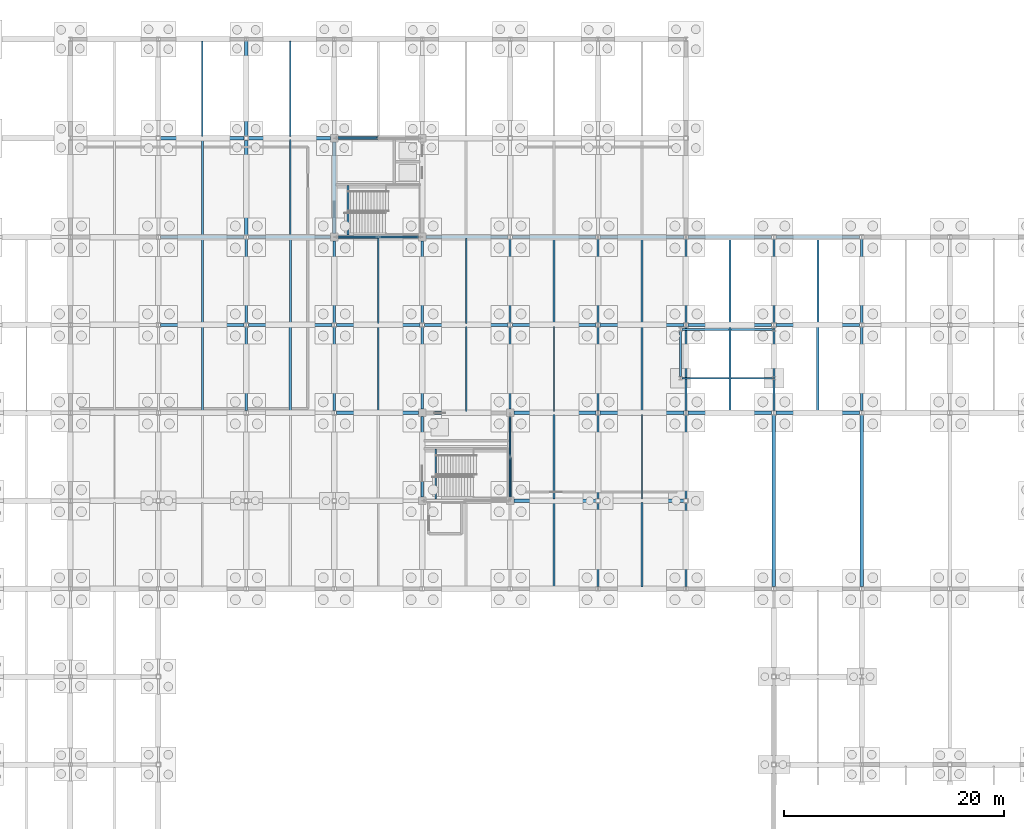
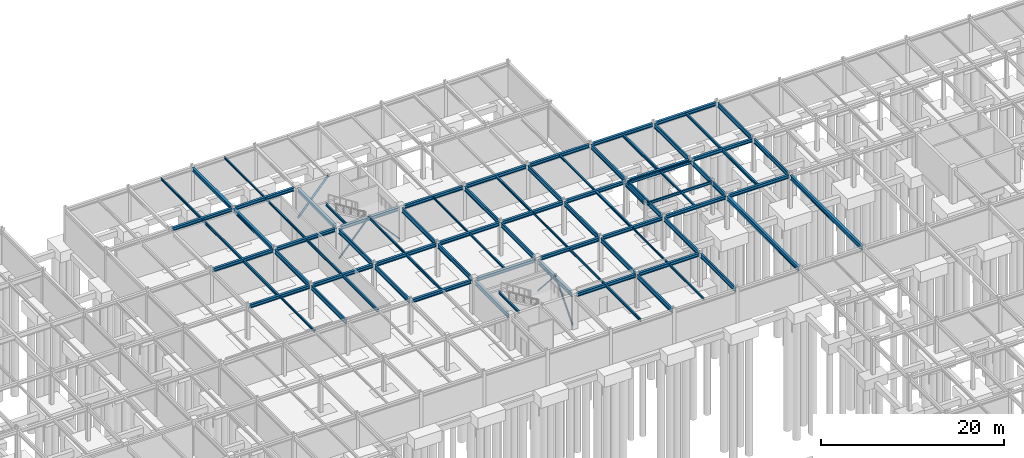
# One storey, part 38 of 72: 82 beams, 5 members.
"""IFC4 building model written with IfcOpenShell, lengths in metres."""

from ifc_helpers import new_model, si_unit, direction, frame, origin, origin_2d, place, context, subcontext, project, spatial, hollow_circle, i_section, extrude, material, material_profile, profile_set, type_object, element, save


model = new_model("IFC4")

# Units and contexts
model_context = context("Model", 3, precision=1e-05, world=origin(), true_north=direction((0.0, 1.0)))
body_context = subcontext(model_context, "Body", "Model", "MODEL_VIEW")
ifc_project = project(units=[si_unit("LENGTHUNIT", "METRE"), si_unit("AREAUNIT", "SQUARE_METRE"), si_unit("VOLUMEUNIT", "CUBIC_METRE"), si_unit("PLANEANGLEUNIT", "RADIAN"), si_unit("MASSUNIT", "GRAM", prefix="KILO")], contexts=[model_context])

# Site, building, storey
site_placement = place(None, origin())
site = spatial("IfcSite", under=ifc_project, at=site_placement, CompositionType="ELEMENT")
building_placement = place(site_placement, origin())
building = spatial("IfcBuilding", under=site, at=building_placement, Name="Zhaolan Boulevard Law Courts", CompositionType="ELEMENT")
storey_placement = place(building_placement, frame((0.0, 0.0, -4.800048828125)))
storey = spatial("IfcBuildingStorey", under=building, at=storey_placement, Name="B1", CompositionType="ELEMENT", Elevation=-4.800048828125)

# Members
ifc_material_1 = material(Name="Structural steel Q355B", Category="steel")
ifc_material_profile_1 = material_profile(ifc_material_1, hollow_circle(Radius=0.109619140625, WallThickness=0.008056640625, at=origin_2d()), Name="CHS219x8")
ifc_profile_set_1 = profile_set([ifc_material_profile_1], Name="Structural steel Q355B")
member_type_1 = type_object("IfcMemberType", Name="BRACE CHS219", PredefinedType="BRACE", material=ifc_profile_set_1)
for number, where, z_axis, x_axis, name in (
    (1, (92.0, 70.179931640625, 0.199951171875), (0.0, 0.662424974315, 0.749128262318), (-1.0, 0.0, 0.0), "Core Brace BR-T1-B1-E1"),
    (2, (76.179931640625, 94.0, 0.199951171875), (0.662424974315, 0.0, 0.749128262318), (0.0, 1.0, 0.0), "Core Brace BR-C1-B1-S1"),
):
    element("IfcMember", number, at=place(storey_placement, frame(where, z_axis=z_axis, x_axis=x_axis)), inside=storey, type_object=member_type_1, Name=name, PredefinedType="BRACE", context=body_context, shape_type="SweptSolid", body=[
        extrude(hollow_circle(Radius=0.109619140625, WallThickness=0.008056640625, at=origin_2d()), origin(), (0.0, 0.0, 1.0), 5.766845703125),
    ])
ifc_material_2 = material(Name="Structural steel Q355B", Category="steel")
ifc_material_profile_2 = material_profile(ifc_material_2, hollow_circle(Radius=0.136474609375, WallThickness=0.010009765625, at=origin_2d()), Name="CHS273x10")
ifc_profile_set_2 = profile_set([ifc_material_profile_2], Name="Structural steel Q355B")
member_type_2 = type_object("IfcMemberType", Name="BRACE CHS273", PredefinedType="BRACE", material=ifc_profile_set_2)
member_placement = place(storey_placement, frame((76.179931640625, 103.0, 0.199951171875), z_axis=(0.662424974315, 0.0, 0.749128262318), x_axis=(0.0, 1.0, 0.0)))
element("IfcMember", 3, at=member_placement, inside=storey, type_object=member_type_2, Name="Core Brace BR-C1-B1-N1", PredefinedType="BRACE", context=body_context, shape_type="SweptSolid", body=[
    extrude(hollow_circle(Radius=0.136474609375, WallThickness=0.010009765625, at=origin_2d()), origin(), (0.0, 0.0, 1.0), 5.766845703125),
])

# Beams
ifc_material_3 = material(Name="Structural steel Q355B", Category="steel")
ifc_material_profile_3 = material_profile(ifc_material_3, i_section(OverallWidth=0.300048828125, OverallDepth=0.43994140625, WebThickness=0.010986328125, FlangeThickness=0.01806640625, FilletRadius=0.02001953125, at=origin_2d()), Name="HM440x300")
ifc_profile_set_3 = profile_set([ifc_material_profile_3], Name="Structural steel Q355B")
beam_type_1 = type_object("IfcBeamType", Name="GIRDER HM440", PredefinedType="BEAM", material=ifc_profile_set_3)
beam_1_placement = place(storey_placement, frame((92.345947265625, 70.0, 4.278076171875), z_axis=(1.0, 0.0, 0.0), x_axis=(0.0, 1.0, 0.0)))
element("IfcBeam", 4, at=beam_1_placement, inside=storey, type_object=beam_type_1, Name="Beam BX-L00-12-13-K", PredefinedType="BEAM", context=body_context, shape_type="SweptSolid", body=[
    extrude(i_section(OverallWidth=0.300048828125, OverallDepth=0.43994140625, WebThickness=0.010986328125, FlangeThickness=0.01806640625, FilletRadius=0.02001953125, at=origin_2d()), origin(), (0.0, 0.0, 1.0), 7.4580078125),
])
beam_2_placement = place(storey_placement, frame((100.196044921875, 70.0, 4.278076171875), z_axis=(1.0, 0.0, 0.0), x_axis=(0.0, 1.0, 0.0)))
element("IfcBeam", 5, at=beam_2_placement, inside=storey, type_object=beam_type_1, Name="Beam BX-L00-13-14-K", PredefinedType="BEAM", context=body_context, shape_type="SweptSolid", body=[
    extrude(i_section(OverallWidth=0.300048828125, OverallDepth=0.43994140625, WebThickness=0.010986328125, FlangeThickness=0.01806640625, FilletRadius=0.02001953125, at=origin_2d()), origin(), (0.0, 0.0, 1.0), 7.60791015625),
])
beam_3_placement = place(storey_placement, frame((76.196044921875, 78.0, 4.278076171875), z_axis=(1.0, 0.0, 0.0), x_axis=(0.0, 1.0, 0.0)))
element("IfcBeam", 6, at=beam_3_placement, inside=storey, type_object=beam_type_1, Name="Beam BX-L00-10-11-L", PredefinedType="BEAM", context=body_context, shape_type="SweptSolid", body=[
    extrude(i_section(OverallWidth=0.300048828125, OverallDepth=0.43994140625, WebThickness=0.010986328125, FlangeThickness=0.01806640625, FilletRadius=0.02001953125, at=origin_2d()), origin(), (0.0, 0.0, 1.0), 7.4580078125),
])
beam_4_placement = place(storey_placement, frame((84.345947265625, 78.0, 4.278076171875), z_axis=(1.0, 0.0, 0.0), x_axis=(0.0, 1.0, 0.0)))
element("IfcBeam", 7, at=beam_4_placement, inside=storey, type_object=beam_type_1, Name="Beam BX-L00-11-12-L", PredefinedType="BEAM", context=body_context, shape_type="SweptSolid", body=[
    extrude(i_section(OverallWidth=0.300048828125, OverallDepth=0.43994140625, WebThickness=0.010986328125, FlangeThickness=0.01806640625, FilletRadius=0.02001953125, at=origin_2d()), origin(), (0.0, 0.0, 1.0), 7.30810546875),
])
beam_5_placement = place(storey_placement, frame((92.345947265625, 78.0, 4.278076171875), z_axis=(1.0, 0.0, 0.0), x_axis=(0.0, 1.0, 0.0)))
element("IfcBeam", 8, at=beam_5_placement, inside=storey, type_object=beam_type_1, Name="Beam BX-L00-12-13-L", PredefinedType="BEAM", context=body_context, shape_type="SweptSolid", body=[
    extrude(i_section(OverallWidth=0.300048828125, OverallDepth=0.43994140625, WebThickness=0.010986328125, FlangeThickness=0.01806640625, FilletRadius=0.02001953125, at=origin_2d()), origin(), (0.0, 0.0, 1.0), 7.4580078125),
])
for number, where, z_axis, x_axis, name in (
    (9, (100.196044921875, 78.0, 4.278076171875), (1.0, 0.0, 0.0), (0.0, 1.0, 0.0), "Beam BX-L00-13-14-L"),
    (10, (108.196044921875, 78.0, 4.278076171875), (1.0, 0.0, 0.0), (0.0, 1.0, 0.0), "Beam BX-L00-14-15-L"),
    (11, (116.196044921875, 78.0, 4.278076171875), (1.0, 0.0, 0.0), (0.0, 1.0, 0.0), "Beam BX-L00-15-16-L"),
    (12, (60.196044921875, 86.0, 4.278076171875), (1.0, 0.0, 0.0), (0.0, 1.0, 0.0), "Beam BX-L00-8-9-M"),
    (13, (68.196044921875, 86.0, 4.278076171875), (1.0, 0.0, 0.0), (0.0, 1.0, 0.0), "Beam BX-L00-9-10-M"),
    (14, (76.196044921875, 86.0, 4.278076171875), (1.0, 0.0, 0.0), (0.0, 1.0, 0.0), "Beam BX-L00-10-11-M"),
    (15, (84.196044921875, 86.0, 4.278076171875), (1.0, 0.0, 0.0), (0.0, 1.0, 0.0), "Beam BX-L00-11-12-M"),
    (16, (92.196044921875, 86.0, 4.278076171875), (1.0, 0.0, 0.0), (0.0, 1.0, 0.0), "Beam BX-L00-12-13-M"),
    (17, (100.196044921875, 86.0, 4.278076171875), (1.0, 0.0, 0.0), (0.0, 1.0, 0.0), "Beam BX-L00-13-14-M"),
    (18, (108.196044921875, 86.0, 4.278076171875), (1.0, 0.0, 0.0), (0.0, 1.0, 0.0), "Beam BX-L00-14-15-M"),
    (19, (116.196044921875, 86.0, 4.278076171875), (1.0, 0.0, 0.0), (0.0, 1.0, 0.0), "Beam BX-L00-15-16-M"),
    (20, (60.196044921875, 94.0, 4.278076171875), (1.0, 0.0, 0.0), (0.0, 1.0, 0.0), "Beam BX-L00-8-9-N"),
):
    element("IfcBeam", number, at=place(storey_placement, frame(where, z_axis=z_axis, x_axis=x_axis)), inside=storey, type_object=beam_type_1, Name=name, PredefinedType="BEAM", context=body_context, shape_type="SweptSolid", body=[
        extrude(i_section(OverallWidth=0.300048828125, OverallDepth=0.43994140625, WebThickness=0.010986328125, FlangeThickness=0.01806640625, FilletRadius=0.02001953125, at=origin_2d()), origin(), (0.0, 0.0, 1.0), 7.60791015625),
    ])
beam_6_placement = place(storey_placement, frame((68.196044921875, 94.0, 4.278076171875), z_axis=(1.0, 0.0, 0.0), x_axis=(0.0, 1.0, 0.0)))
element("IfcBeam", 21, at=beam_6_placement, inside=storey, type_object=beam_type_1, Name="Beam BX-L00-9-10-N", PredefinedType="BEAM", context=body_context, shape_type="SweptSolid", body=[
    extrude(i_section(OverallWidth=0.300048828125, OverallDepth=0.43994140625, WebThickness=0.010986328125, FlangeThickness=0.01806640625, FilletRadius=0.02001953125, at=origin_2d()), origin(), (0.0, 0.0, 1.0), 7.4580078125),
])
beam_7_placement = place(storey_placement, frame((76.345947265625, 94.0, 4.278076171875), z_axis=(1.0, 0.0, 0.0), x_axis=(0.0, 1.0, 0.0)))
element("IfcBeam", 22, at=beam_7_placement, inside=storey, type_object=beam_type_1, Name="Beam BX-L00-10-11-N", PredefinedType="BEAM", context=body_context, shape_type="SweptSolid", body=[
    extrude(i_section(OverallWidth=0.300048828125, OverallDepth=0.43994140625, WebThickness=0.010986328125, FlangeThickness=0.01806640625, FilletRadius=0.02001953125, at=origin_2d()), origin(), (0.0, 0.0, 1.0), 7.30810546875),
])
beam_8_placement = place(storey_placement, frame((84.345947265625, 94.0, 4.278076171875), z_axis=(1.0, 0.0, 0.0), x_axis=(0.0, 1.0, 0.0)))
element("IfcBeam", 23, at=beam_8_placement, inside=storey, type_object=beam_type_1, Name="Beam BX-L00-11-12-N", PredefinedType="BEAM", context=body_context, shape_type="SweptSolid", body=[
    extrude(i_section(OverallWidth=0.300048828125, OverallDepth=0.43994140625, WebThickness=0.010986328125, FlangeThickness=0.01806640625, FilletRadius=0.02001953125, at=origin_2d()), origin(), (0.0, 0.0, 1.0), 7.4580078125),
])
for number, where, z_axis, x_axis, name in (
    (24, (92.196044921875, 94.0, 4.278076171875), (1.0, 0.0, 0.0), (0.0, 1.0, 0.0), "Beam BX-L00-12-13-N"),
    (25, (100.196044921875, 94.0, 4.278076171875), (1.0, 0.0, 0.0), (0.0, 1.0, 0.0), "Beam BX-L00-13-14-N"),
    (26, (108.196044921875, 94.0, 4.278076171875), (1.0, 0.0, 0.0), (0.0, 1.0, 0.0), "Beam BX-L00-14-15-N"),
    (27, (116.196044921875, 94.0, 4.278076171875), (1.0, 0.0, 0.0), (0.0, 1.0, 0.0), "Beam BX-L00-15-16-N"),
    (28, (60.196044921875, 103.0, 4.278076171875), (1.0, 0.0, 0.0), (0.0, 1.0, 0.0), "Beam BX-L00-8-9-P"),
):
    element("IfcBeam", number, at=place(storey_placement, frame(where, z_axis=z_axis, x_axis=x_axis)), inside=storey, type_object=beam_type_1, Name=name, PredefinedType="BEAM", context=body_context, shape_type="SweptSolid", body=[
        extrude(i_section(OverallWidth=0.300048828125, OverallDepth=0.43994140625, WebThickness=0.010986328125, FlangeThickness=0.01806640625, FilletRadius=0.02001953125, at=origin_2d()), origin(), (0.0, 0.0, 1.0), 7.60791015625),
    ])
beam_9_placement = place(storey_placement, frame((68.196044921875, 103.0, 4.278076171875), z_axis=(1.0, 0.0, 0.0), x_axis=(0.0, 1.0, 0.0)))
element("IfcBeam", 29, at=beam_9_placement, inside=storey, type_object=beam_type_1, Name="Beam BX-L00-9-10-P", PredefinedType="BEAM", context=body_context, shape_type="SweptSolid", body=[
    extrude(i_section(OverallWidth=0.300048828125, OverallDepth=0.43994140625, WebThickness=0.010986328125, FlangeThickness=0.01806640625, FilletRadius=0.02001953125, at=origin_2d()), origin(), (0.0, 0.0, 1.0), 7.4580078125),
])
ifc_material_4 = material(Name="Structural steel Q355B", Category="steel")
ifc_material_profile_4 = material_profile(ifc_material_4, i_section(OverallWidth=0.300048828125, OverallDepth=0.48193359375, WebThickness=0.010986328125, FlangeThickness=0.014892578125, FilletRadius=0.02197265625, at=origin_2d()), Name="HM482x300")
ifc_profile_set_4 = profile_set([ifc_material_profile_4], Name="Structural steel Q355B")
beam_type_2 = type_object("IfcBeamType", Name="GIRDER HM488", PredefinedType="BEAM", material=ifc_profile_set_4)
beam_10_placement = place(storey_placement, frame((68.0, 94.196044921875, 4.257080078125), z_axis=(0.0, 1.0, 0.0), x_axis=(-1.0, 0.0, 0.0)))
element("IfcBeam", 30, at=beam_10_placement, inside=storey, type_object=beam_type_2, Name="Beam BY-L00-9-N-P", PredefinedType="BEAM", context=body_context, shape_type="SweptSolid", body=[
    extrude(i_section(OverallWidth=0.300048828125, OverallDepth=0.48193359375, WebThickness=0.010986328125, FlangeThickness=0.014892578125, FilletRadius=0.02197265625, at=origin_2d()), origin(), (0.0, 0.0, 1.0), 8.60791015625),
])
beam_11_placement = place(storey_placement, frame((68.0, 103.196044921875, 4.257080078125), z_axis=(0.0, 1.0, 0.0), x_axis=(-1.0, 0.0, 0.0)))
element("IfcBeam", 31, at=beam_11_placement, inside=storey, type_object=beam_type_2, Name="Beam BY-L00-9-P-Q", PredefinedType="BEAM", context=body_context, shape_type="SweptSolid", body=[
    extrude(i_section(OverallWidth=0.300048828125, OverallDepth=0.48193359375, WebThickness=0.010986328125, FlangeThickness=0.014892578125, FilletRadius=0.02197265625, at=origin_2d()), origin(), (0.0, 0.0, 1.0), 8.633056640625),
])
beam_12_placement = place(storey_placement, frame((76.0, 94.345947265625, 4.257080078125), z_axis=(0.0, 1.0, 0.0), x_axis=(-1.0, 0.0, 0.0)))
element("IfcBeam", 32, at=beam_12_placement, inside=storey, type_object=beam_type_2, Name="Beam BY-L00-10-N-P", PredefinedType="BEAM", context=body_context, shape_type="SweptSolid", body=[
    extrude(i_section(OverallWidth=0.300048828125, OverallDepth=0.48193359375, WebThickness=0.010986328125, FlangeThickness=0.014892578125, FilletRadius=0.02197265625, at=origin_2d()), origin(), (0.0, 0.0, 1.0), 8.30810546875),
])
ifc_material_5 = material(Name="Structural steel Q390B", Category="steel")
ifc_material_profile_5 = material_profile(ifc_material_5, i_section(OverallWidth=0.300048828125, OverallDepth=0.587890625, WebThickness=0.011962890625, FlangeThickness=0.02001953125, FilletRadius=0.02392578125, at=origin_2d()), Name="HM588x300")
ifc_profile_set_5 = profile_set([ifc_material_profile_5], Name="Structural steel Q390B")
beam_type_3 = type_object("IfcBeamType", Name="GIRDER HM588", PredefinedType="BEAM", material=ifc_profile_set_5)
for number, where, z_axis, x_axis, name in (
    (33, (116.0, 62.196044921875, 4.2041015625), (0.0, 1.0, 0.0), (-1.0, 0.0, 0.0), "Beam BY-L00-15-J-L"),
    (34, (124.0, 62.196044921875, 4.2041015625), (0.0, 1.0, 0.0), (-1.0, 0.0, 0.0), "Beam BY-L00-16-J-L"),
):
    element("IfcBeam", number, at=place(storey_placement, frame(where, z_axis=z_axis, x_axis=x_axis)), inside=storey, type_object=beam_type_3, Name=name, PredefinedType="BEAM", context=body_context, shape_type="SweptSolid", body=[
        extrude(i_section(OverallWidth=0.300048828125, OverallDepth=0.587890625, WebThickness=0.011962890625, FlangeThickness=0.02001953125, FilletRadius=0.02392578125, at=origin_2d()), origin(), (0.0, 0.0, 1.0), 15.60791015625),
    ])
ifc_material_6 = material(Name="Structural steel Q355B", Category="steel")
ifc_material_profile_6 = material_profile(ifc_material_6, i_section(OverallWidth=0.199951171875, OverallDepth=0.60009765625, WebThickness=0.010986328125, FlangeThickness=0.01708984375, FilletRadius=0.02001953125, at=origin_2d()), Name="HN600x200")
ifc_profile_set_6 = profile_set([ifc_material_profile_6], Name="Structural steel Q355B")
beam_type_4 = type_object("IfcBeamType", Name="GIRDER HN600", PredefinedType="BEAM", material=ifc_profile_set_6)
for number, where, z_axis, x_axis, name in (
    (35, (68.0, 78.196044921875, 4.197998046875), (0.0, 1.0, 0.0), (-1.0, 0.0, 0.0), "Beam BY-L00-9-L-M"),
    (36, (68.0, 86.196044921875, 4.197998046875), (0.0, 1.0, 0.0), (-1.0, 0.0, 0.0), "Beam BY-L00-9-M-N"),
    (37, (76.0, 78.196044921875, 4.197998046875), (0.0, 1.0, 0.0), (-1.0, 0.0, 0.0), "Beam BY-L00-10-L-M"),
):
    element("IfcBeam", number, at=place(storey_placement, frame(where, z_axis=z_axis, x_axis=x_axis)), inside=storey, type_object=beam_type_4, Name=name, PredefinedType="BEAM", context=body_context, shape_type="SweptSolid", body=[
        extrude(i_section(OverallWidth=0.199951171875, OverallDepth=0.60009765625, WebThickness=0.010986328125, FlangeThickness=0.01708984375, FilletRadius=0.02001953125, at=origin_2d()), origin(), (0.0, 0.0, 1.0), 7.60791015625),
    ])
beam_13_placement = place(storey_placement, frame((76.0, 86.196044921875, 4.197998046875), z_axis=(0.0, 1.0, 0.0), x_axis=(-1.0, 0.0, 0.0)))
element("IfcBeam", 38, at=beam_13_placement, inside=storey, type_object=beam_type_4, Name="Beam BY-L00-10-M-N", PredefinedType="BEAM", context=body_context, shape_type="SweptSolid", body=[
    extrude(i_section(OverallWidth=0.199951171875, OverallDepth=0.60009765625, WebThickness=0.010986328125, FlangeThickness=0.01708984375, FilletRadius=0.02001953125, at=origin_2d()), origin(), (0.0, 0.0, 1.0), 7.4580078125),
])
beam_14_placement = place(storey_placement, frame((84.0, 70.345947265625, 4.197998046875), z_axis=(0.0, 1.0, 0.0), x_axis=(-1.0, 0.0, 0.0)))
element("IfcBeam", 39, at=beam_14_placement, inside=storey, type_object=beam_type_4, Name="Beam BY-L00-11-K-L", PredefinedType="BEAM", context=body_context, shape_type="SweptSolid", body=[
    extrude(i_section(OverallWidth=0.199951171875, OverallDepth=0.60009765625, WebThickness=0.010986328125, FlangeThickness=0.01708984375, FilletRadius=0.02001953125, at=origin_2d()), origin(), (0.0, 0.0, 1.0), 7.30810546875),
])
for number, where, z_axis, x_axis, name in (
    (40, (84.0, 78.345947265625, 4.197998046875), (0.0, 1.0, 0.0), (-1.0, 0.0, 0.0), "Beam BY-L00-11-L-M"),
    (41, (84.0, 86.196044921875, 4.197998046875), (0.0, 1.0, 0.0), (-1.0, 0.0, 0.0), "Beam BY-L00-11-M-N"),
):
    element("IfcBeam", number, at=place(storey_placement, frame(where, z_axis=z_axis, x_axis=x_axis)), inside=storey, type_object=beam_type_4, Name=name, PredefinedType="BEAM", context=body_context, shape_type="SweptSolid", body=[
        extrude(i_section(OverallWidth=0.199951171875, OverallDepth=0.60009765625, WebThickness=0.010986328125, FlangeThickness=0.01708984375, FilletRadius=0.02001953125, at=origin_2d()), origin(), (0.0, 0.0, 1.0), 7.4580078125),
    ])
beam_15_placement = place(storey_placement, frame((92.0, 70.345947265625, 4.197998046875), z_axis=(0.0, 1.0, 0.0), x_axis=(-1.0, 0.0, 0.0)))
element("IfcBeam", 42, at=beam_15_placement, inside=storey, type_object=beam_type_4, Name="Beam BY-L00-12-K-L", PredefinedType="BEAM", context=body_context, shape_type="SweptSolid", body=[
    extrude(i_section(OverallWidth=0.199951171875, OverallDepth=0.60009765625, WebThickness=0.010986328125, FlangeThickness=0.01708984375, FilletRadius=0.02001953125, at=origin_2d()), origin(), (0.0, 0.0, 1.0), 7.30810546875),
])
beam_16_placement = place(storey_placement, frame((92.0, 78.345947265625, 4.197998046875), z_axis=(0.0, 1.0, 0.0), x_axis=(-1.0, 0.0, 0.0)))
element("IfcBeam", 43, at=beam_16_placement, inside=storey, type_object=beam_type_4, Name="Beam BY-L00-12-L-M", PredefinedType="BEAM", context=body_context, shape_type="SweptSolid", body=[
    extrude(i_section(OverallWidth=0.199951171875, OverallDepth=0.60009765625, WebThickness=0.010986328125, FlangeThickness=0.01708984375, FilletRadius=0.02001953125, at=origin_2d()), origin(), (0.0, 0.0, 1.0), 7.4580078125),
])
for number, where, z_axis, x_axis, name in (
    (44, (92.0, 86.196044921875, 4.197998046875), (0.0, 1.0, 0.0), (-1.0, 0.0, 0.0), "Beam BY-L00-12-M-N"),
    (45, (100.0, 62.196044921875, 4.197998046875), (0.0, 1.0, 0.0), (-1.0, 0.0, 0.0), "Beam BY-L00-13-J-K"),
    (46, (100.0, 70.196044921875, 4.197998046875), (0.0, 1.0, 0.0), (-1.0, 0.0, 0.0), "Beam BY-L00-13-K-L"),
    (47, (100.0, 78.196044921875, 4.197998046875), (0.0, 1.0, 0.0), (-1.0, 0.0, 0.0), "Beam BY-L00-13-L-M"),
    (48, (100.0, 86.196044921875, 4.197998046875), (0.0, 1.0, 0.0), (-1.0, 0.0, 0.0), "Beam BY-L00-13-M-N"),
    (49, (108.0, 62.196044921875, 4.197998046875), (0.0, 1.0, 0.0), (-1.0, 0.0, 0.0), "Beam BY-L00-14-J-K"),
    (50, (108.0, 70.196044921875, 4.197998046875), (0.0, 1.0, 0.0), (-1.0, 0.0, 0.0), "Beam BY-L00-14-K-L"),
    (51, (108.0, 78.196044921875, 4.197998046875), (0.0, 1.0, 0.0), (-1.0, 0.0, 0.0), "Beam BY-L00-14-L-M"),
    (52, (108.0, 86.196044921875, 4.197998046875), (0.0, 1.0, 0.0), (-1.0, 0.0, 0.0), "Beam BY-L00-14-M-N"),
    (53, (116.0, 78.196044921875, 4.197998046875), (0.0, 1.0, 0.0), (-1.0, 0.0, 0.0), "Beam BY-L00-15-L-M"),
    (54, (116.0, 86.196044921875, 4.197998046875), (0.0, 1.0, 0.0), (-1.0, 0.0, 0.0), "Beam BY-L00-15-M-N"),
    (55, (124.0, 78.196044921875, 4.197998046875), (0.0, 1.0, 0.0), (-1.0, 0.0, 0.0), "Beam BY-L00-16-L-M"),
    (56, (124.0, 86.196044921875, 4.197998046875), (0.0, 1.0, 0.0), (-1.0, 0.0, 0.0), "Beam BY-L00-16-M-N"),
):
    element("IfcBeam", number, at=place(storey_placement, frame(where, z_axis=z_axis, x_axis=x_axis)), inside=storey, type_object=beam_type_4, Name=name, PredefinedType="BEAM", context=body_context, shape_type="SweptSolid", body=[
        extrude(i_section(OverallWidth=0.199951171875, OverallDepth=0.60009765625, WebThickness=0.010986328125, FlangeThickness=0.01708984375, FilletRadius=0.02001953125, at=origin_2d()), origin(), (0.0, 0.0, 1.0), 7.60791015625),
    ])
ifc_material_7 = material(Name="Structural steel Q355B", Category="steel")
ifc_material_profile_7 = material_profile(ifc_material_7, i_section(OverallWidth=0.175048828125, OverallDepth=0.243896484375, WebThickness=0.007080078125, FlangeThickness=0.010986328125, FilletRadius=0.012939453125, at=origin_2d()), Name="HM244x175")
ifc_profile_set_7 = profile_set([ifc_material_profile_7], Name="Structural steel Q355B")
beam_type_5 = type_object("IfcBeamType", Name="JOIST HM244", PredefinedType="JOIST", material=ifc_profile_set_7)
for number, where, z_axis, x_axis, name in (
    (57, (64.0, 78.14599609375, 4.3759765625), (0.0, 1.0, 0.0), (-1.0, 0.0, 0.0), "Composite Joist J-L00-8L"),
    (58, (104.0, 86.14599609375, 4.3759765625), (0.0, 1.0, 0.0), (-1.0, 0.0, 0.0), "Composite Joist J-L00-13M"),
    (59, (112.0, 78.14599609375, 4.3759765625), (0.0, 1.0, 0.0), (-1.0, 0.0, 0.0), "Composite Joist J-L00-14L"),
):
    element("IfcBeam", number, at=place(storey_placement, frame(where, z_axis=z_axis, x_axis=x_axis)), inside=storey, type_object=beam_type_5, Name=name, PredefinedType="JOIST", context=body_context, shape_type="SweptSolid", body=[
        extrude(i_section(OverallWidth=0.175048828125, OverallDepth=0.243896484375, WebThickness=0.007080078125, FlangeThickness=0.010986328125, FilletRadius=0.012939453125, at=origin_2d()), origin(), (0.0, 0.0, 1.0), 7.7080078125),
    ])
ifc_material_8 = material(Name="Structural steel Q355B", Category="steel")
ifc_material_profile_8 = material_profile(ifc_material_8, i_section(OverallWidth=0.199951171875, OverallDepth=0.2939453125, WebThickness=0.008056640625, FlangeThickness=0.011962890625, FilletRadius=0.01611328125, at=origin_2d()), Name="HM294x200")
ifc_profile_set_8 = profile_set([ifc_material_profile_8], Name="Structural steel Q355B")
beam_type_6 = type_object("IfcBeamType", Name="JOIST HM294", PredefinedType="JOIST", material=ifc_profile_set_8)
for number, where, z_axis, x_axis, name in (
    (60, (96.0, 86.14599609375, 4.35107421875), (0.0, 1.0, 0.0), (-1.0, 0.0, 0.0), "Composite Joist J-L00-12M"),
    (61, (104.0, 78.14599609375, 4.35107421875), (0.0, 1.0, 0.0), (-1.0, 0.0, 0.0), "Composite Joist J-L00-13L"),
):
    element("IfcBeam", number, at=place(storey_placement, frame(where, z_axis=z_axis, x_axis=x_axis)), inside=storey, type_object=beam_type_6, Name=name, PredefinedType="JOIST", context=body_context, shape_type="SweptSolid", body=[
        extrude(i_section(OverallWidth=0.199951171875, OverallDepth=0.2939453125, WebThickness=0.008056640625, FlangeThickness=0.011962890625, FilletRadius=0.01611328125, at=origin_2d()), origin(), (0.0, 0.0, 1.0), 7.7080078125),
    ])
ifc_material_9 = material(Name="Structural steel Q355B", Category="steel")
ifc_material_profile_9 = material_profile(ifc_material_9, i_section(OverallWidth=0.125, OverallDepth=0.25, WebThickness=0.006103515625, FlangeThickness=0.009033203125, FilletRadius=0.010009765625, at=origin_2d()), Name="HN250x125")
ifc_profile_set_9 = profile_set([ifc_material_profile_9], Name="Structural steel Q355B")
beam_type_7 = type_object("IfcBeamType", Name="JOIST HN250", PredefinedType="JOIST", material=ifc_profile_set_9)
beam_17_placement = place(storey_placement, frame((72.0, 103.14599609375, 4.373046875), z_axis=(0.0, 1.0, 0.0), x_axis=(-1.0, 0.0, 0.0)))
element("IfcBeam", 62, at=beam_17_placement, inside=storey, type_object=beam_type_7, Name="Composite Joist J-L00-9P", PredefinedType="JOIST", context=body_context, shape_type="SweptSolid", body=[
    extrude(i_section(OverallWidth=0.125, OverallDepth=0.25, WebThickness=0.006103515625, FlangeThickness=0.009033203125, FilletRadius=0.010009765625, at=origin_2d()), origin(), (0.0, 0.0, 1.0), 8.7080078125),
])
for number, where, z_axis, x_axis, name in (
    (63, (88.0, 86.14599609375, 4.373046875), (0.0, 1.0, 0.0), (-1.0, 0.0, 0.0), "Composite Joist J-L00-11M"),
    (64, (96.0, 78.14599609375, 4.373046875), (0.0, 1.0, 0.0), (-1.0, 0.0, 0.0), "Composite Joist J-L00-12L"),
    (65, (104.0, 70.14599609375, 4.373046875), (0.0, 1.0, 0.0), (-1.0, 0.0, 0.0), "Composite Joist J-L00-13K"),
):
    element("IfcBeam", number, at=place(storey_placement, frame(where, z_axis=z_axis, x_axis=x_axis)), inside=storey, type_object=beam_type_7, Name=name, PredefinedType="JOIST", context=body_context, shape_type="SweptSolid", body=[
        extrude(i_section(OverallWidth=0.125, OverallDepth=0.25, WebThickness=0.006103515625, FlangeThickness=0.009033203125, FilletRadius=0.010009765625, at=origin_2d()), origin(), (0.0, 0.0, 1.0), 7.7080078125),
    ])
ifc_material_10 = material(Name="Structural steel Q355B", Category="steel")
ifc_material_profile_10 = material_profile(ifc_material_10, i_section(OverallWidth=0.14990234375, OverallDepth=0.300048828125, WebThickness=0.006591796875, FlangeThickness=0.009033203125, FilletRadius=0.010986328125, at=origin_2d()), Name="HN300x150")
ifc_profile_set_10 = profile_set([ifc_material_profile_10], Name="Structural steel Q355B")
beam_type_8 = type_object("IfcBeamType", Name="JOIST HN300", PredefinedType="JOIST", material=ifc_profile_set_10)
for number, where, z_axis, x_axis, name in (
    (66, (64.0, 103.14599609375, 4.34814453125), (0.0, 1.0, 0.0), (-1.0, 0.0, 0.0), "Composite Joist J-L00-8P"),
    (67, (72.0, 94.14599609375, 4.34814453125), (0.0, 1.0, 0.0), (-1.0, 0.0, 0.0), "Composite Joist J-L00-9N"),
):
    element("IfcBeam", number, at=place(storey_placement, frame(where, z_axis=z_axis, x_axis=x_axis)), inside=storey, type_object=beam_type_8, Name=name, PredefinedType="JOIST", context=body_context, shape_type="SweptSolid", body=[
        extrude(i_section(OverallWidth=0.14990234375, OverallDepth=0.300048828125, WebThickness=0.006591796875, FlangeThickness=0.009033203125, FilletRadius=0.010986328125, at=origin_2d()), origin(), (0.0, 0.0, 1.0), 8.7080078125),
    ])
for number, where, z_axis, x_axis, name in (
    (68, (80.0, 86.14599609375, 4.34814453125), (0.0, 1.0, 0.0), (-1.0, 0.0, 0.0), "Composite Joist J-L00-10M"),
    (69, (88.0, 78.14599609375, 4.34814453125), (0.0, 1.0, 0.0), (-1.0, 0.0, 0.0), "Composite Joist J-L00-11L"),
    (70, (96.0, 70.14599609375, 4.34814453125), (0.0, 1.0, 0.0), (-1.0, 0.0, 0.0), "Composite Joist J-L00-12K"),
    (71, (104.0, 62.14599609375, 4.34814453125), (0.0, 1.0, 0.0), (-1.0, 0.0, 0.0), "Composite Joist J-L00-13J"),
):
    element("IfcBeam", number, at=place(storey_placement, frame(where, z_axis=z_axis, x_axis=x_axis)), inside=storey, type_object=beam_type_8, Name=name, PredefinedType="JOIST", context=body_context, shape_type="SweptSolid", body=[
        extrude(i_section(OverallWidth=0.14990234375, OverallDepth=0.300048828125, WebThickness=0.006591796875, FlangeThickness=0.009033203125, FilletRadius=0.010986328125, at=origin_2d()), origin(), (0.0, 0.0, 1.0), 7.7080078125),
    ])
ifc_material_11 = material(Name="Structural steel Q355B", Category="steel")
ifc_material_profile_11 = material_profile(ifc_material_11, i_section(OverallWidth=0.175048828125, OverallDepth=0.35009765625, WebThickness=0.007080078125, FlangeThickness=0.010986328125, FilletRadius=0.012939453125, at=origin_2d()), Name="HN350x175")
ifc_profile_set_11 = profile_set([ifc_material_profile_11], Name="Structural steel Q355B")
beam_type_9 = type_object("IfcBeamType", Name="JOIST HN350", PredefinedType="JOIST", material=ifc_profile_set_11)
beam_18_placement = place(storey_placement, frame((64.0, 94.14599609375, 4.322998046875), z_axis=(0.0, 1.0, 0.0), x_axis=(-1.0, 0.0, 0.0)))
element("IfcBeam", 72, at=beam_18_placement, inside=storey, type_object=beam_type_9, Name="Composite Joist J-L00-8N", PredefinedType="JOIST", context=body_context, shape_type="SweptSolid", body=[
    extrude(i_section(OverallWidth=0.175048828125, OverallDepth=0.35009765625, WebThickness=0.007080078125, FlangeThickness=0.010986328125, FilletRadius=0.012939453125, at=origin_2d()), origin(), (0.0, 0.0, 1.0), 8.7080078125),
])
for number, where, z_axis, x_axis, name in (
    (73, (72.0, 86.14599609375, 4.322998046875), (0.0, 1.0, 0.0), (-1.0, 0.0, 0.0), "Composite Joist J-L00-9M"),
    (74, (80.0, 78.14599609375, 4.322998046875), (0.0, 1.0, 0.0), (-1.0, 0.0, 0.0), "Composite Joist J-L00-10L"),
    (75, (96.0, 62.14599609375, 4.322998046875), (0.0, 1.0, 0.0), (-1.0, 0.0, 0.0), "Composite Joist J-L00-12J"),
    (76, (120.0, 86.14599609375, 4.322998046875), (0.0, 1.0, 0.0), (-1.0, 0.0, 0.0), "Composite Joist J-L00-15M"),
):
    element("IfcBeam", number, at=place(storey_placement, frame(where, z_axis=z_axis, x_axis=x_axis)), inside=storey, type_object=beam_type_9, Name=name, PredefinedType="JOIST", context=body_context, shape_type="SweptSolid", body=[
        extrude(i_section(OverallWidth=0.175048828125, OverallDepth=0.35009765625, WebThickness=0.007080078125, FlangeThickness=0.010986328125, FilletRadius=0.012939453125, at=origin_2d()), origin(), (0.0, 0.0, 1.0), 7.7080078125),
    ])
ifc_material_12 = material(Name="Structural steel Q355B", Category="steel")
ifc_material_profile_12 = material_profile(ifc_material_12, i_section(OverallWidth=0.199951171875, OverallDepth=0.39990234375, WebThickness=0.008056640625, FlangeThickness=0.012939453125, FilletRadius=0.013916015625, at=origin_2d()), Name="HN400x200")
ifc_profile_set_12 = profile_set([ifc_material_profile_12], Name="Structural steel Q355B")
beam_type_10 = type_object("IfcBeamType", Name="JOIST HN400", PredefinedType="JOIST", material=ifc_profile_set_12)
for number, where, z_axis, x_axis, name in (
    (77, (64.0, 86.14599609375, 4.298095703125), (0.0, 1.0, 0.0), (-1.0, 0.0, 0.0), "Composite Joist J-L00-8M"),
    (78, (72.0, 78.14599609375, 4.298095703125), (0.0, 1.0, 0.0), (-1.0, 0.0, 0.0), "Composite Joist J-L00-9L"),
    (79, (112.0, 86.14599609375, 4.298095703125), (0.0, 1.0, 0.0), (-1.0, 0.0, 0.0), "Composite Joist J-L00-14M"),
    (80, (120.0, 78.14599609375, 4.298095703125), (0.0, 1.0, 0.0), (-1.0, 0.0, 0.0), "Composite Joist J-L00-15L"),
):
    element("IfcBeam", number, at=place(storey_placement, frame(where, z_axis=z_axis, x_axis=x_axis)), inside=storey, type_object=beam_type_10, Name=name, PredefinedType="JOIST", context=body_context, shape_type="SweptSolid", body=[
        extrude(i_section(OverallWidth=0.199951171875, OverallDepth=0.39990234375, WebThickness=0.008056640625, FlangeThickness=0.012939453125, FilletRadius=0.013916015625, at=origin_2d()), origin(), (0.0, 0.0, 1.0), 7.7080078125),
    ])
ifc_material_13 = material(Name="Structural steel Q355B", Category="steel")
ifc_material_profile_13 = material_profile(ifc_material_13, i_section(OverallWidth=0.175048828125, OverallDepth=0.35009765625, WebThickness=0.007080078125, FlangeThickness=0.010986328125, FilletRadius=0.012939453125, at=origin_2d()), Name="HN350x175")
ifc_profile_set_13 = profile_set([ifc_material_profile_13], Name="Structural steel Q355B")
beam_type_11 = type_object("IfcBeamType", Name="STAIR TRIMMER HN350", PredefinedType="BEAM", material=ifc_profile_set_13)
for number, where, z_axis, x_axis, name in (
    (81, (85.235107421875, 70.1650390625, 4.31494140625), (0.0, 1.0, 0.0), (-1.0, 0.0, 0.0), "Stair Landing Trimmer Beam STB-ST08-L00"),
    (82, (77.235107421875, 94.1650390625, 4.31494140625), (0.0, 1.0, 0.0), (-1.0, 0.0, 0.0), "Stair Landing Trimmer Beam STB-ST11-L00"),
):
    element("IfcBeam", number, at=place(storey_placement, frame(where, z_axis=z_axis, x_axis=x_axis)), inside=storey, type_object=beam_type_11, Name=name, PredefinedType="BEAM", context=body_context, shape_type="SweptSolid", body=[
        extrude(i_section(OverallWidth=0.175048828125, OverallDepth=0.35009765625, WebThickness=0.007080078125, FlangeThickness=0.010986328125, FilletRadius=0.012939453125, at=origin_2d()), origin(), (0.0, 0.0, 1.0), 4.544921875),
    ])
for number, where, z_axis, x_axis, name in (
    (83, (107.639892578125, 81.14990234375, 4.324951171875), (1.0, 0.0, 0.0), (0.0, 1.0, 0.0), "Stairwell Support Girder SGB-ST13-S"),
    (84, (107.639892578125, 85.60009765625, 4.324951171875), (1.0, 0.0, 0.0), (0.0, 1.0, 0.0), "Stairwell Support Girder SGB-ST13-N"),
):
    element("IfcBeam", number, at=place(storey_placement, frame(where, z_axis=z_axis, x_axis=x_axis)), inside=storey, type_object=beam_type_11, Name=name, PredefinedType="BEAM", context=body_context, shape_type="SweptSolid", body=[
        extrude(i_section(OverallWidth=0.175048828125, OverallDepth=0.35009765625, WebThickness=0.007080078125, FlangeThickness=0.010986328125, FilletRadius=0.012939453125, at=origin_2d()), origin(), (0.0, 0.0, 1.0), 8.22021484375),
    ])
beam_19_placement = place(storey_placement, frame((107.5, 81.2900390625, 4.324951171875), z_axis=(0.0, 1.0, 0.0), x_axis=(-1.0, 0.0, 0.0)))
element("IfcBeam", 85, at=beam_19_placement, inside=storey, type_object=beam_type_11, Name="Stairwell Support Girder SGB-ST13-W", PredefinedType="BEAM", context=body_context, shape_type="SweptSolid", body=[
    extrude(i_section(OverallWidth=0.175048828125, OverallDepth=0.35009765625, WebThickness=0.007080078125, FlangeThickness=0.010986328125, FilletRadius=0.012939453125, at=origin_2d()), origin(), (0.0, 0.0, 1.0), 4.169921875),
])

# Members
ifc_material_14 = material(Name="Structural steel Q355B", Category="steel")
ifc_material_profile_14 = material_profile(ifc_material_14, hollow_circle(Radius=0.083984375, WallThickness=0.008056640625, at=origin_2d()), Name="CHS168x8")
ifc_profile_set_14 = profile_set([ifc_material_profile_14], Name="Structural steel Q355B")
member_type_3 = type_object("IfcMemberType", Name="STRUT CHS168", PredefinedType="BRACE", material=ifc_profile_set_14)
for number, where, z_axis, x_axis, name in (
    (86, (92.0, 77.820068359375, 0.199951171875), (0.0, -0.662424974315, 0.749128262318), (1.0, 0.0, 0.0), "Core Brace BR-T1-B1-E2"),
    (87, (83.820068359375, 94.0, 0.199951171875), (-0.662424974315, 0.0, 0.749128262318), (0.0, -1.0, 0.0), "Core Brace BR-C1-B1-S2"),
):
    element("IfcMember", number, at=place(storey_placement, frame(where, z_axis=z_axis, x_axis=x_axis)), inside=storey, type_object=member_type_3, Name=name, PredefinedType="BRACE", context=body_context, shape_type="SweptSolid", body=[
        extrude(hollow_circle(Radius=0.083984375, WallThickness=0.008056640625, at=origin_2d()), origin(), (0.0, 0.0, 1.0), 5.766845703125),
    ])

save(model, "model.ifc")
